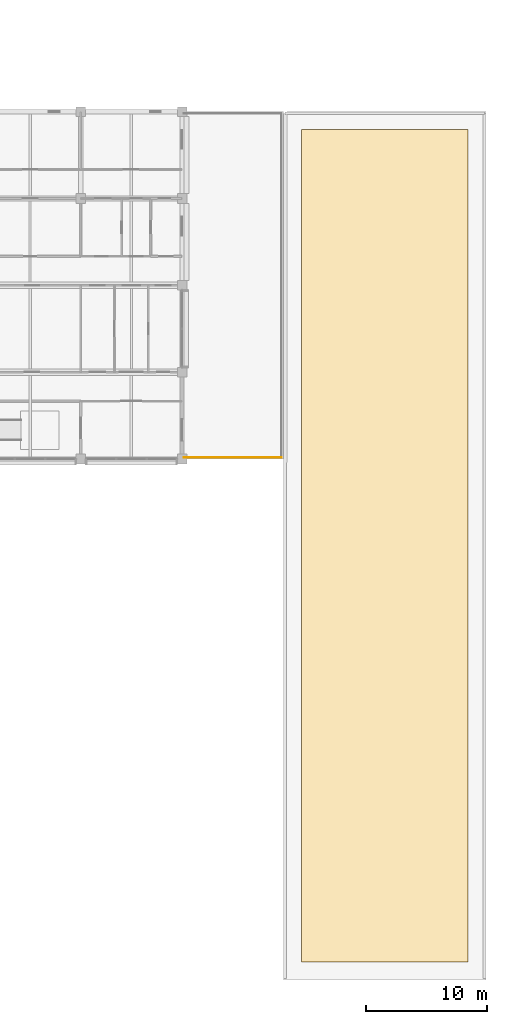
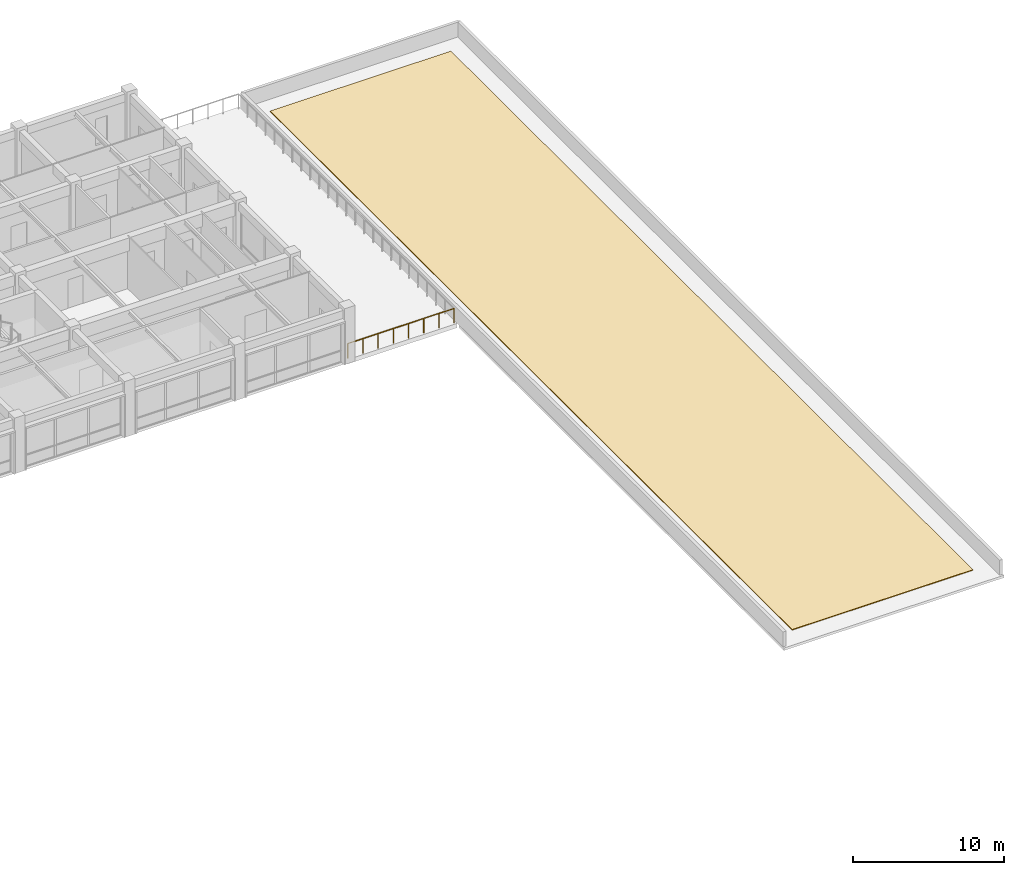
# One storey, part 39 of 40: 1 covering, 1 railing.
"""IFC4 building model written with IfcOpenShell, lengths in metres."""

from ifc_helpers import new_model, si_unit, direction, frame, origin, origin_2d, place, context, subcontext, project, spatial, polyline, circle, outline, extrude, material, layer, layer_set, type_object, element, save


model = new_model("IFC4")

# Units and contexts
model_context = context("Model", 3, precision=1e-05, world=origin(), true_north=direction((0.0, 1.0)))
body_context = subcontext(model_context, "Body", "Model", "MODEL_VIEW")
ifc_project = project(units=[si_unit("LENGTHUNIT", "METRE"), si_unit("AREAUNIT", "SQUARE_METRE"), si_unit("VOLUMEUNIT", "CUBIC_METRE"), si_unit("PLANEANGLEUNIT", "RADIAN"), si_unit("MASSUNIT", "GRAM", prefix="KILO")], contexts=[model_context])

# Site, building, storey
site_placement = place(None, origin())
site = spatial("IfcSite", under=ifc_project, at=site_placement, CompositionType="ELEMENT")
building_placement = place(site_placement, origin())
building = spatial("IfcBuilding", under=site, at=building_placement, Name="Chengyuan Square Courthouse", CompositionType="ELEMENT")
storey_placement = place(building_placement, frame((0.0, 0.0, 21.60009765625)))
storey = spatial("IfcBuildingStorey", under=building, at=storey_placement, Name="L05", CompositionType="ELEMENT", Elevation=21.60009765625)

# Covering
ifc_material_1 = material(Name="TPO Waterproof Membrane and Extruded Polystyrene Insulation")
ifc_layer = layer(ifc_material_1, 0.06005859375)
ifc_layer_set = layer_set([ifc_layer], Name="TPO Waterproof Membrane and Extruded Polystyrene Insulation")
covering_type = type_object("IfcCoveringType", Name="RFG-01", PredefinedType="ROOFING", material=ifc_layer_set)
covering_placement = place(storey_placement, origin())
element("IfcCovering", 1, at=covering_placement, inside=storey, type_object=covering_type, Name="Roof Waterproofing Membrane RFG-L05-04", PredefinedType="ROOFING", context=body_context, shape_type="SweptSolid", body=[
    extrude(outline(polyline([(152.699951171875, 37.5), (166.5, 37.5), (166.5, 106.5), (152.699951171875, 106.5), (152.699951171875, 37.5)])), origin(), (0.0, 0.0, 1.0), 0.059814453125),
])

# Railing
ifc_material_2 = material(Name="Stainless Steel S30408 and Laminated Glass Balustrade", Category="steel")
railing_type = type_object("IfcRailingType", Name="RL-01", PredefinedType="BALUSTRADE", material=ifc_material_2)
railing_placement = place(storey_placement, frame((151.06005859375, 79.340087890625, 0.0)))
element("IfcRailing", 2, at=railing_placement, inside=storey, type_object=railing_type, Name="Terrace Safety Balustrade RL-TER-012", PredefinedType="BALUSTRADE", context=body_context, shape_type="SweptSolid", body=[
    extrude(circle(Radius=0.02392578125, at=origin_2d()), frame((0.0, 0.0, 1.17578125), z_axis=(-1.0, 0.0, 0.0), x_axis=(0.0, -1.0, 0.0)), (0.0, 0.0, 1.0), 8.1201171875),
    extrude(circle(Radius=0.02099609375, at=origin_2d()), origin(), (0.0, 0.0, 1.0), 1.15185546875),
    extrude(circle(Radius=0.02099609375, at=origin_2d()), frame((-1.159912109375, 0.0, 0.0)), (0.0, 0.0, 1.0), 1.15185546875),
    extrude(circle(Radius=0.02099609375, at=origin_2d()), frame((-2.320068359375, 0.0, 0.0)), (0.0, 0.0, 1.0), 1.15185546875),
    extrude(circle(Radius=0.02099609375, at=origin_2d()), frame((-3.47998046875, 0.0, 0.0)), (0.0, 0.0, 1.0), 1.15185546875),
    extrude(circle(Radius=0.02099609375, at=origin_2d()), frame((-4.64013671875, 0.0, 0.0)), (0.0, 0.0, 1.0), 1.15185546875),
    extrude(circle(Radius=0.02099609375, at=origin_2d()), frame((-5.800048828125, 0.0, 0.0)), (0.0, 0.0, 1.0), 1.15185546875),
    extrude(circle(Radius=0.02099609375, at=origin_2d()), frame((-6.960205078125, 0.0, 0.0)), (0.0, 0.0, 1.0), 1.15185546875),
    extrude(circle(Radius=0.02099609375, at=origin_2d()), frame((-8.1201171875, 0.0, 0.0)), (0.0, 0.0, 1.0), 1.15185546875),
])

save(model, "model.ifc")
